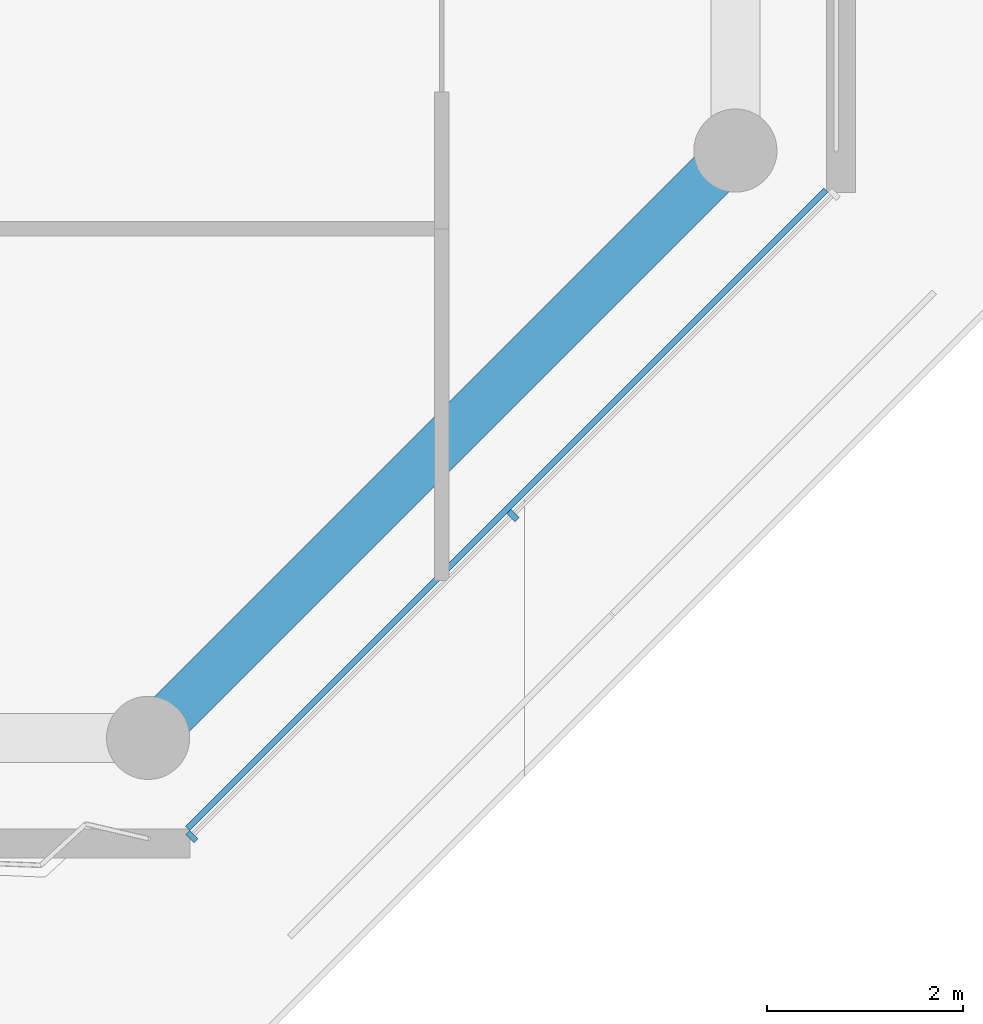
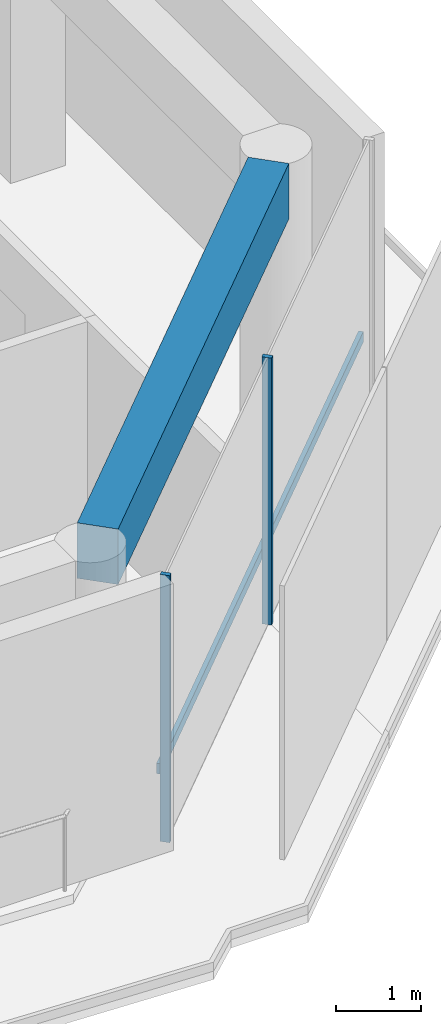
# One storey, part 3 of 19: 3 members, 1 beam, 1 element without a shape of its own.
"""IFC4 building model written with IfcOpenShell, lengths in metres."""

from ifc_helpers import new_model, si_unit, direction, frame, origin, origin_2d, place, context, subcontext, project, spatial, rectangle, extrude, material, layer, layer_set, material_profile, profile_set, type_object, element, aggregate, save


model = new_model("IFC4")

# Units and contexts
model_context = context("Model", 3, precision=1e-05, world=origin(), true_north=direction((0.0, 1.0)))
body_context = subcontext(model_context, "Body", "Model", "MODEL_VIEW")
ifc_project = project(units=[si_unit("LENGTHUNIT", "METRE"), si_unit("AREAUNIT", "SQUARE_METRE"), si_unit("VOLUMEUNIT", "CUBIC_METRE"), si_unit("PLANEANGLEUNIT", "RADIAN"), si_unit("MASSUNIT", "GRAM", prefix="KILO")], contexts=[model_context])

# Site, building, storey
site_placement = place(None, origin())
site = spatial("IfcSite", under=ifc_project, at=site_placement, CompositionType="ELEMENT")
building_placement = place(site_placement, origin())
building = spatial("IfcBuilding", under=site, at=building_placement, Name="Welwitschia Terrace Campus", CompositionType="ELEMENT")
storey_placement = place(building_placement, frame((0.0, 0.0, 276.800048828125)))
storey = spatial("IfcBuildingStorey", under=building, at=storey_placement, Name="L61", CompositionType="ELEMENT", Elevation=276.800048828125)

# Curtain wall, members
ifc_material_1 = material(Name="Bronze anodised aluminium", Category="aluminium")
ifc_layer = layer(ifc_material_1, 0.1201171875)
ifc_layer_set = layer_set([ifc_layer], Name="Bronze anodised aluminium")
curtain_wall_type = type_object("IfcCurtainWallType", Name="Curtain wall CW2 tower 6000", PredefinedType="NOTDEFINED", material=ifc_layer_set)
curtain_wall_placement = place(storey_placement, origin())
curtain_wall = element("IfcCurtainWall", 1, at=curtain_wall_placement, inside=storey, type_object=curtain_wall_type, Name="CW L61.3.0", PredefinedType="NOTDEFINED")
ifc_material_2 = material(Name="Bronze anodised aluminium", Category="aluminium")
ifc_material_profile_1 = material_profile(ifc_material_2, rectangle(XDim=0.1201171875, YDim=0.06005859375, at=origin_2d()))
ifc_profile_set_1 = profile_set([ifc_material_profile_1], Name="Bronze anodised aluminium")
member_type_1 = type_object("IfcMemberType", Name="Mullion 60x120", PredefinedType="MULLION", material=ifc_profile_set_1)
member_1_placement = place(storey_placement, frame((24.44775390625, -5.0087890625, 0.0), z_axis=(0.0, 0.0, 1.0), x_axis=(-0.707106781187, 0.707106781187, 0.0)))
member_1 = element("IfcMember", 2, at=member_1_placement, type_object=member_type_1, Name="Mullion L61.3.0.0", PredefinedType="MULLION", context=body_context, shape_type="SweptSolid", body=[
    extrude(rectangle(XDim=0.1201171875, YDim=0.06005859375, at=origin_2d()), origin(), (0.0, 0.0, 1.0), 3.849853515625),
])
member_2_placement = place(storey_placement, frame((27.728271484375, -1.728271484375, 0.0), z_axis=(0.0, 0.0, 1.0), x_axis=(-0.707106781187, 0.707106781187, 0.0)))
member_2 = element("IfcMember", 3, at=member_2_placement, type_object=member_type_1, Name="Mullion L61.3.0.1", PredefinedType="MULLION", context=body_context, shape_type="SweptSolid", body=[
    extrude(rectangle(XDim=0.1201171875, YDim=0.06005859375, at=origin_2d()), origin(), (0.0, 0.0, 1.0), 3.849853515625),
])

# Beam
ifc_material_3 = material(Name="Concrete C50/60", Category="concrete")
ifc_material_profile_2 = material_profile(ifc_material_3, rectangle(XDim=0.5, YDim=0.800048828125, at=origin_2d()))
ifc_profile_set_2 = profile_set([ifc_material_profile_2], Name="Concrete C50/60")
beam_type = type_object("IfcBeamType", Name="Ring spandrel 500x800", PredefinedType="SPANDREL", material=ifc_profile_set_2)
beam_placement = place(storey_placement, frame((24.24365234375, -3.75634765625, 3.449951171875), z_axis=(0.707106781187, 0.707106781187, 0.0), x_axis=(-0.707106781187, 0.707106781187, 0.0)))
element("IfcBeam", 4, at=beam_placement, inside=storey, type_object=beam_type, Name="Spandrel SP4", PredefinedType="SPANDREL", context=body_context, shape_type="SweptSolid", body=[
    extrude(rectangle(XDim=0.5, YDim=0.800048828125, at=origin_2d()), origin(), (0.0, 0.0, 1.0), 7.796142578125),
])

# Member
ifc_material_4 = material(Name="Bronze anodised aluminium", Category="aluminium")
ifc_material_profile_3 = material_profile(ifc_material_4, rectangle(XDim=0.06005859375, YDim=0.14990234375, at=origin_2d()))
ifc_profile_set_3 = profile_set([ifc_material_profile_3], Name="Bronze anodised aluminium")
member_type_2 = type_object("IfcMemberType", Name="Transom 60x150", PredefinedType="USERDEFINED", material=ifc_profile_set_3)
member_3_placement = place(storey_placement, frame((24.405517578125, -4.923828125, 1.0), z_axis=(0.707106781187, 0.707106781187, 0.0), x_axis=(-0.707106781187, 0.707106781187, 0.0)))
member_3 = element("IfcMember", 5, at=member_3_placement, type_object=member_type_2, Name="Transom L61.3.0", ObjectType="TRANSOM", PredefinedType="USERDEFINED", context=body_context, shape_type="SweptSolid", body=[
    extrude(rectangle(XDim=0.06005859375, YDim=0.14990234375, at=origin_2d()), origin(), (0.0, 0.0, 1.0), 9.21826171875),
])

aggregate(curtain_wall, [member_1, member_2, member_3])

save(model, "model.ifc")
